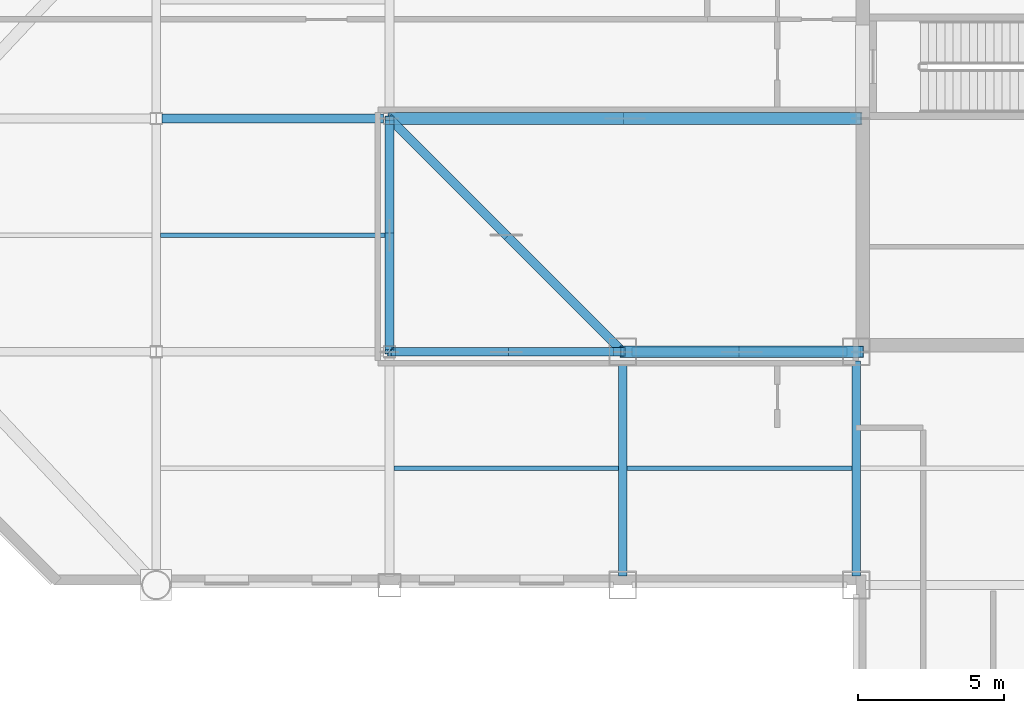
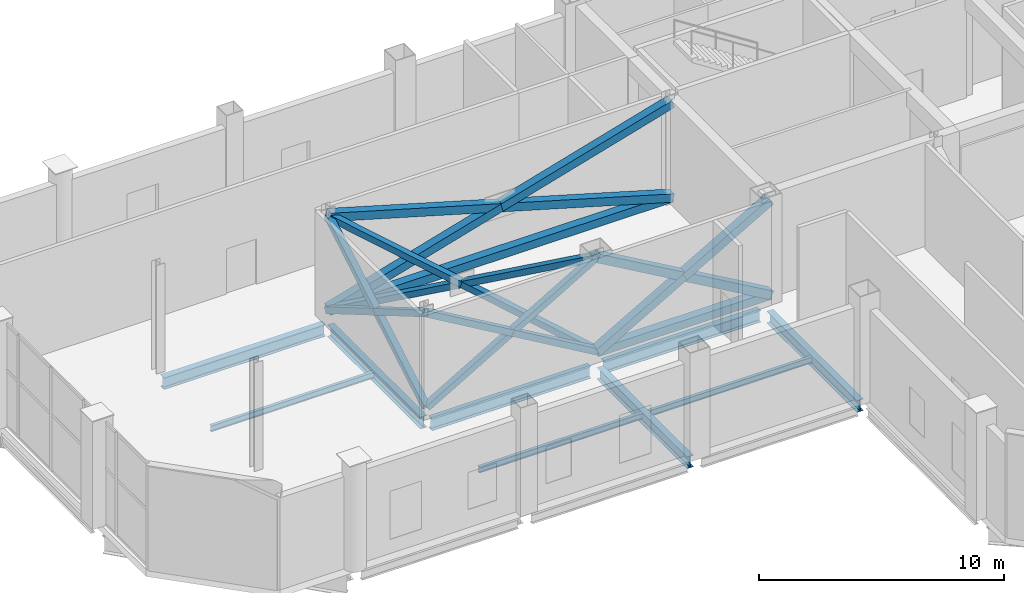
# One storey, part 7 of 23: 17 members, 9 beams.
"""IFC4 building model written with IfcOpenShell, lengths in metres."""

from ifc_helpers import new_model, si_unit, direction, frame, origin, origin_2d, place, context, subcontext, project, spatial, hollow_rectangle, i_section, extrude, material, material_profile, profile_set, type_object, element, save


model = new_model("IFC4")

# Units and contexts
model_context = context("Model", 3, precision=1e-05, world=origin(), true_north=direction((0.0, 1.0)))
body_context = subcontext(model_context, "Body", "Model", "MODEL_VIEW")
ifc_project = project(units=[si_unit("LENGTHUNIT", "METRE"), si_unit("AREAUNIT", "SQUARE_METRE"), si_unit("VOLUMEUNIT", "CUBIC_METRE"), si_unit("PLANEANGLEUNIT", "RADIAN"), si_unit("MASSUNIT", "GRAM", prefix="KILO")], contexts=[model_context])

# Site, building, storey
site_placement = place(None, origin())
site = spatial("IfcSite", under=ifc_project, at=site_placement, CompositionType="ELEMENT")
building_placement = place(site_placement, origin())
building = spatial("IfcBuilding", under=site, at=building_placement, Name="Qianrong Seaharbour Tower", CompositionType="ELEMENT")
storey_placement = place(building_placement, frame((0.0, 0.0, 281.800048828125)))
storey = spatial("IfcBuildingStorey", under=building, at=storey_placement, Name="L68", CompositionType="ELEMENT", Elevation=281.800048828125)

# Beams
ifc_material_1 = material(Name="Structural steel SN490B", Category="steel")
ifc_material_profile_1 = material_profile(ifc_material_1, i_section(OverallWidth=0.300048828125, OverallDepth=0.587890625, WebThickness=0.011962890625, FlangeThickness=0.02001953125, FilletRadius=0.02392578125, at=origin_2d()), Name="H588x300x12x20")
ifc_profile_set_1 = profile_set([ifc_material_profile_1], Name="Structural steel SN490B")
beam_type_1 = type_object("IfcBeamType", Name="BM-G-588", PredefinedType="BEAM", material=ifc_profile_set_1)
beam_1_placement = place(storey_placement, frame((24.699951171875, 36.0, -0.64404296875), z_axis=(1.0, 0.0, 0.0), x_axis=(0.0, 1.0, 0.0)))
element("IfcBeam", 1, at=beam_1_placement, inside=storey, type_object=beam_type_1, Name="L68 Primary Girder GF G4-G5", PredefinedType="BEAM", context=body_context, shape_type="SweptSolid", body=[
    extrude(i_section(OverallWidth=0.300048828125, OverallDepth=0.587890625, WebThickness=0.011962890625, FlangeThickness=0.02001953125, FilletRadius=0.02392578125, at=origin_2d()), origin(), (0.0, 0.0, 1.0), 7.47998046875),
])
beam_2_placement = place(storey_placement, frame((32.820068359375, 36.0, -0.64404296875), z_axis=(1.0, 0.0, 0.0), x_axis=(0.0, 1.0, 0.0)))
element("IfcBeam", 2, at=beam_2_placement, inside=storey, type_object=beam_type_1, Name="L68 Primary Girder GF G5-G6", PredefinedType="BEAM", context=body_context, shape_type="SweptSolid", body=[
    extrude(i_section(OverallWidth=0.300048828125, OverallDepth=0.587890625, WebThickness=0.011962890625, FlangeThickness=0.02001953125, FilletRadius=0.02392578125, at=origin_2d()), origin(), (0.0, 0.0, 1.0), 7.35986328125),
])
for number, where, z_axis, x_axis, name in (
    (3, (16.699951171875, 44.0, -0.64404296875), (1.0, 0.0, 0.0), (0.0, 1.0, 0.0), "L68 Primary Girder GG G3-G4"),
    (4, (24.5, 36.199951171875, -0.64404296875), (0.0, 1.0, 0.0), (-1.0, 0.0, 0.0), "L68 Primary Girder G4 GF-GG"),
):
    element("IfcBeam", number, at=place(storey_placement, frame(where, z_axis=z_axis, x_axis=x_axis)), inside=storey, type_object=beam_type_1, Name=name, PredefinedType="BEAM", context=body_context, shape_type="SweptSolid", body=[
        extrude(i_section(OverallWidth=0.300048828125, OverallDepth=0.587890625, WebThickness=0.011962890625, FlangeThickness=0.02001953125, FilletRadius=0.02392578125, at=origin_2d()), origin(), (0.0, 0.0, 1.0), 7.60009765625),
    ])
for number, where, z_axis, x_axis, name in (
    (5, (32.5, 28.320068359375, -0.64404296875), (0.0, 1.0, 0.0), (-1.0, 0.0, 0.0), "L68 Primary Girder G5 GE-GF"),
    (6, (40.5, 28.320068359375, -0.64404296875), (0.0, 1.0, 0.0), (-1.0, 0.0, 0.0), "L68 Primary Girder G6 GE-GF"),
):
    element("IfcBeam", number, at=place(storey_placement, frame(where, z_axis=z_axis, x_axis=x_axis)), inside=storey, type_object=beam_type_1, Name=name, PredefinedType="BEAM", context=body_context, shape_type="SweptSolid", body=[
        extrude(i_section(OverallWidth=0.300048828125, OverallDepth=0.587890625, WebThickness=0.011962890625, FlangeThickness=0.02001953125, FilletRadius=0.02392578125, at=origin_2d()), origin(), (0.0, 0.0, 1.0), 7.35986328125),
    ])
ifc_material_2 = material(Name="Structural steel SN400B", Category="steel")
ifc_material_profile_2 = material_profile(ifc_material_2, i_section(OverallWidth=0.14990234375, OverallDepth=0.300048828125, WebThickness=0.006591796875, FlangeThickness=0.009033203125, FilletRadius=0.012939453125, at=origin_2d()), Name="H300x150x6.5x9")
ifc_profile_set_2 = profile_set([ifc_material_profile_2], Name="Structural steel SN400B")
beam_type_2 = type_object("IfcBeamType", Name="BM-J-300", PredefinedType="JOIST", material=ifc_profile_set_2)
for number, where, z_axis, x_axis, name in (
    (7, (16.64990234375, 40.0, -0.5), (1.0, 0.0, 0.0), (0.0, 1.0, 0.0), "L68 Composite Floor Joist G3-G4/GF-GG"),
    (8, (24.64990234375, 32.0, -0.5), (1.0, 0.0, 0.0), (0.0, 1.0, 0.0), "L68 Composite Floor Joist G4-G5/GE-GF"),
    (9, (32.64990234375, 32.0, -0.5), (1.0, 0.0, 0.0), (0.0, 1.0, 0.0), "L68 Composite Floor Joist G5-G6/GE-GF"),
):
    element("IfcBeam", number, at=place(storey_placement, frame(where, z_axis=z_axis, x_axis=x_axis)), inside=storey, type_object=beam_type_2, Name=name, PredefinedType="JOIST", context=body_context, shape_type="SweptSolid", body=[
        extrude(i_section(OverallWidth=0.14990234375, OverallDepth=0.300048828125, WebThickness=0.006591796875, FlangeThickness=0.009033203125, FilletRadius=0.012939453125, at=origin_2d()), origin(), (0.0, 0.0, 1.0), 7.7001953125),
    ])

# Members
ifc_material_profile_3 = material_profile(ifc_material_1, hollow_rectangle(XDim=0.300048828125, YDim=0.300048828125, WallThickness=0.011962890625, at=origin_2d()), Name="SHS300x300x12")
ifc_profile_set_3 = profile_set([ifc_material_profile_3], Name="Structural steel SN490B")
member_type_1 = type_object("IfcMemberType", Name="MEM-BT-SHS300", PredefinedType="BRACE", material=ifc_profile_set_3)
member_1_placement = place(storey_placement, frame((24.5, 36.0, 0.25), z_axis=(0.862914203275, 0.0, 0.505350450466), x_axis=(0.0, 1.0, 0.0)))
element("IfcMember", 10, at=member_1_placement, inside=storey, type_object=member_type_1, Name="L68 Interior Belt Truss Diagonal Brace BT-13", PredefinedType="BRACE", context=body_context, shape_type="SweptSolid", body=[
    extrude(hollow_rectangle(XDim=0.300048828125, YDim=0.300048828125, WallThickness=0.011962890625, at=origin_2d()), origin(), (0.0, 0.0, 1.0), 9.27099609375),
])
for number, where, z_axis, x_axis, name in (
    (11, (24.5, 36.0, 4.93505859375), (0.862914203275, 0.0, -0.505350450466), (0.0, 1.0, 0.0), "L68 Interior Belt Truss Diagonal Brace BT-14"),
    (12, (28.5, 36.0, 2.592529296875), (0.862914203275, 0.0, -0.505350450466), (0.0, 1.0, 0.0), "L68 Interior Belt Truss Diagonal Brace BT-15"),
):
    element("IfcMember", number, at=place(storey_placement, frame(where, z_axis=z_axis, x_axis=x_axis)), inside=storey, type_object=member_type_1, Name=name, PredefinedType="BRACE", context=body_context, shape_type="SweptSolid", body=[
        extrude(hollow_rectangle(XDim=0.300048828125, YDim=0.300048828125, WallThickness=0.011962890625, at=origin_2d()), origin(), (0.0, 0.0, 1.0), 4.635498046875),
    ])
member_2_placement = place(storey_placement, frame((24.5, 36.0, 0.25), z_axis=(0.0, 0.862914203275, 0.505350450466), x_axis=(-1.0, 0.0, 0.0)))
element("IfcMember", 13, at=member_2_placement, inside=storey, type_object=member_type_1, Name="L68 Interior Belt Truss Diagonal Brace BT-16", PredefinedType="BRACE", context=body_context, shape_type="SweptSolid", body=[
    extrude(hollow_rectangle(XDim=0.300048828125, YDim=0.300048828125, WallThickness=0.011962890625, at=origin_2d()), origin(), (0.0, 0.0, 1.0), 9.27099609375),
])
for number, where, z_axis, x_axis, name in (
    (14, (24.5, 36.0, 4.93505859375), (0.0, 0.862914203275, -0.505350450466), (-1.0, 0.0, 0.0), "L68 Interior Belt Truss Diagonal Brace BT-17"),
    (15, (24.5, 40.0, 2.592529296875), (0.0, 0.862914203275, -0.505350450466), (-1.0, 0.0, 0.0), "L68 Interior Belt Truss Diagonal Brace BT-18"),
):
    element("IfcMember", number, at=place(storey_placement, frame(where, z_axis=z_axis, x_axis=x_axis)), inside=storey, type_object=member_type_1, Name=name, PredefinedType="BRACE", context=body_context, shape_type="SweptSolid", body=[
        extrude(hollow_rectangle(XDim=0.300048828125, YDim=0.300048828125, WallThickness=0.011962890625, at=origin_2d()), origin(), (0.0, 0.0, 1.0), 4.635498046875),
    ])
member_3_placement = place(storey_placement, frame((24.5, 44.0, 0.25), z_axis=(0.653306650441, -0.653306650441, 0.382597492125), x_axis=(0.707106781187, 0.707106781187, 0.0)))
element("IfcMember", 16, at=member_3_placement, inside=storey, type_object=member_type_1, Name="L68 Interior Belt Truss Diagonal Brace BT-22", PredefinedType="BRACE", context=body_context, shape_type="SweptSolid", body=[
    extrude(hollow_rectangle(XDim=0.300048828125, YDim=0.300048828125, WallThickness=0.011962890625, at=origin_2d()), origin(), (0.0, 0.0, 1.0), 12.245361328125),
])
for number, where, z_axis, x_axis, name in (
    (17, (24.5, 44.0, 4.93505859375), (0.653306650441, -0.653306650441, -0.382597492125), (0.707106781187, 0.707106781187, 0.0), "L68 Interior Belt Truss Diagonal Brace BT-23"),
    (18, (28.5, 40.0, 2.592529296875), (0.653306650441, -0.653306650441, -0.382597492125), (0.707106781187, 0.707106781187, 0.0), "L68 Interior Belt Truss Diagonal Brace BT-24"),
):
    element("IfcMember", number, at=place(storey_placement, frame(where, z_axis=z_axis, x_axis=x_axis)), inside=storey, type_object=member_type_1, Name=name, PredefinedType="BRACE", context=body_context, shape_type="SweptSolid", body=[
        extrude(hollow_rectangle(XDim=0.300048828125, YDim=0.300048828125, WallThickness=0.011962890625, at=origin_2d()), origin(), (0.0, 0.0, 1.0), 6.122802734375),
    ])
ifc_material_profile_4 = material_profile(ifc_material_1, hollow_rectangle(XDim=0.39990234375, YDim=0.39990234375, WallThickness=0.02001953125, at=origin_2d()), Name="SHS400x400x20")
ifc_profile_set_4 = profile_set([ifc_material_profile_4], Name="Structural steel SN490B")
member_type_2 = type_object("IfcMemberType", Name="MEM-CHORD-400", PredefinedType="CHORD", material=ifc_profile_set_4)
member_4_placement = place(storey_placement, frame((32.5, 36.0, 0.25), z_axis=(1.0, 0.0, 0.0), x_axis=(0.0, 1.0, 0.0)))
element("IfcMember", 19, at=member_4_placement, inside=storey, type_object=member_type_2, Name="L68 Outrigger Truss Bottom Chord GF", PredefinedType="CHORD", context=body_context, shape_type="SweptSolid", body=[
    extrude(hollow_rectangle(XDim=0.39990234375, YDim=0.39990234375, WallThickness=0.02001953125, at=origin_2d()), origin(), (0.0, 0.0, 1.0), 8.14990234375),
])
member_5_placement = place(storey_placement, frame((24.5, 44.0, 0.25), z_axis=(1.0, 0.0, 0.0), x_axis=(0.0, 1.0, 0.0)))
element("IfcMember", 20, at=member_5_placement, inside=storey, type_object=member_type_2, Name="L68 Outrigger Truss Bottom Chord GG", PredefinedType="CHORD", context=body_context, shape_type="SweptSolid", body=[
    extrude(hollow_rectangle(XDim=0.39990234375, YDim=0.39990234375, WallThickness=0.02001953125, at=origin_2d()), origin(), (0.0, 0.0, 1.0), 16.14990234375),
])
ifc_material_profile_5 = material_profile(ifc_material_1, hollow_rectangle(XDim=0.39990234375, YDim=0.39990234375, WallThickness=0.02001953125, at=origin_2d()), Name="SHS400x400x20")
ifc_profile_set_5 = profile_set([ifc_material_profile_5], Name="Structural steel SN490B")
member_type_3 = type_object("IfcMemberType", Name="MEM-OT-SHS400", PredefinedType="BRACE", material=ifc_profile_set_5)
member_6_placement = place(storey_placement, frame((40.64990234375, 36.0, 0.25), z_axis=(-0.866958483953, 0.0, 0.498380363881), x_axis=(0.0, -1.0, 0.0)))
element("IfcMember", 21, at=member_6_placement, inside=storey, type_object=member_type_3, Name="L68 Outrigger Truss Diagonal Brace OT-01", PredefinedType="BRACE", context=body_context, shape_type="SweptSolid", body=[
    extrude(hollow_rectangle(XDim=0.39990234375, YDim=0.39990234375, WallThickness=0.02001953125, at=origin_2d()), origin(), (0.0, 0.0, 1.0), 9.400634765625),
])
for number, where, z_axis, x_axis, name in (
    (22, (40.64990234375, 36.0, 4.93505859375), (-0.866958483953, 0.0, -0.498380363881), (0.0, -1.0, 0.0), "L68 Outrigger Truss Diagonal Brace OT-02"),
    (23, (36.574951171875, 36.0, 2.592529296875), (-0.866958483953, 0.0, -0.498380363881), (0.0, -1.0, 0.0), "L68 Outrigger Truss Diagonal Brace OT-03"),
):
    element("IfcMember", number, at=place(storey_placement, frame(where, z_axis=z_axis, x_axis=x_axis)), inside=storey, type_object=member_type_3, Name=name, PredefinedType="BRACE", context=body_context, shape_type="SweptSolid", body=[
        extrude(hollow_rectangle(XDim=0.39990234375, YDim=0.39990234375, WallThickness=0.02001953125, at=origin_2d()), origin(), (0.0, 0.0, 1.0), 4.7001953125),
    ])
member_7_placement = place(storey_placement, frame((40.64990234375, 44.0, 0.25), z_axis=(-0.960403890375, 0.0, 0.278611498961), x_axis=(0.0, -1.0, 0.0)))
element("IfcMember", 24, at=member_7_placement, inside=storey, type_object=member_type_3, Name="L68 Outrigger Truss Diagonal Brace OT-04", PredefinedType="BRACE", context=body_context, shape_type="SweptSolid", body=[
    extrude(hollow_rectangle(XDim=0.39990234375, YDim=0.39990234375, WallThickness=0.02001953125, at=origin_2d()), origin(), (0.0, 0.0, 1.0), 16.815673828125),
])
for number, where, z_axis, x_axis, name in (
    (25, (40.64990234375, 44.0, 4.93505859375), (-0.960403890375, 0.0, -0.278611498961), (0.0, -1.0, 0.0), "L68 Outrigger Truss Diagonal Brace OT-05"),
    (26, (32.574951171875, 44.0, 2.592529296875), (-0.960403890375, 0.0, -0.278611498961), (0.0, -1.0, 0.0), "L68 Outrigger Truss Diagonal Brace OT-06"),
):
    element("IfcMember", number, at=place(storey_placement, frame(where, z_axis=z_axis, x_axis=x_axis)), inside=storey, type_object=member_type_3, Name=name, PredefinedType="BRACE", context=body_context, shape_type="SweptSolid", body=[
        extrude(hollow_rectangle(XDim=0.39990234375, YDim=0.39990234375, WallThickness=0.02001953125, at=origin_2d()), origin(), (0.0, 0.0, 1.0), 8.407958984375),
    ])

save(model, "model.ifc")
